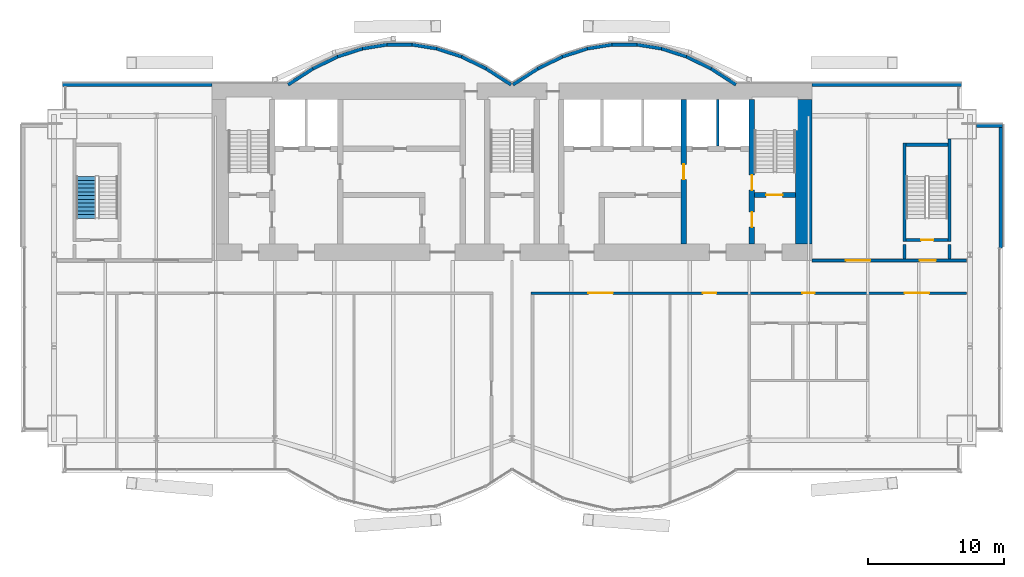
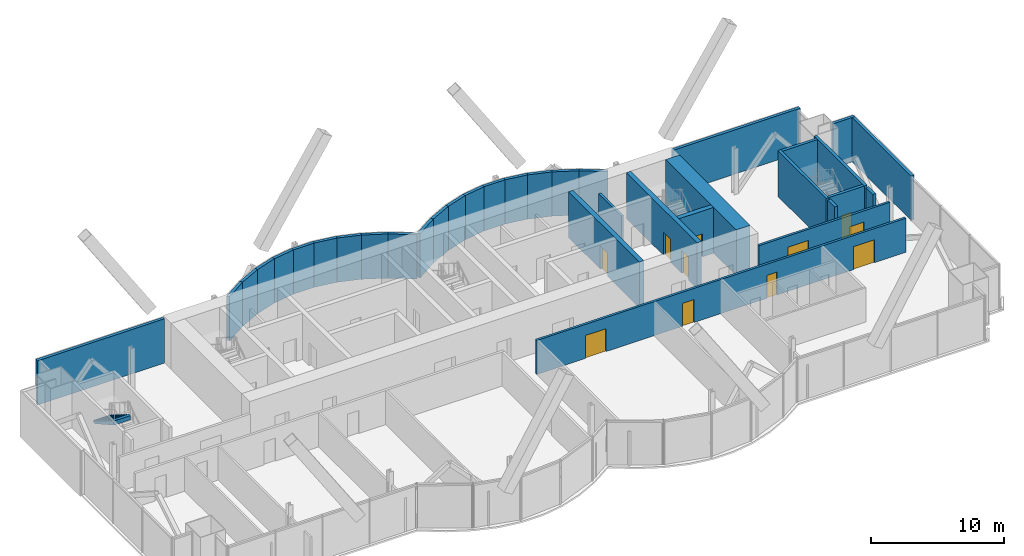
# One storey, part 15 of 19: 35 walls, 11 doors, 1 stair flight, 11 openings, 1 element without a shape of its own.
"""IFC4 building model written with IfcOpenShell, lengths in metres."""

from ifc_helpers import new_model, si_unit, direction, frame, frame_2d, origin, place, context, subcontext, project, spatial, polyline, rectangle, outline, extrude, material, layer, layer_set, layer_usage, type_object, element, fill, aggregate, save


model = new_model("IFC4")

# Units and contexts
model_context = context("Model", 3, precision=1e-05, world=origin(), true_north=direction((0.0, 1.0)))
body_context = subcontext(model_context, "Body", "Model", "MODEL_VIEW")
ifc_project = project(units=[si_unit("LENGTHUNIT", "METRE"), si_unit("AREAUNIT", "SQUARE_METRE"), si_unit("VOLUMEUNIT", "CUBIC_METRE"), si_unit("PLANEANGLEUNIT", "RADIAN"), si_unit("MASSUNIT", "GRAM", prefix="KILO")], contexts=[model_context])

# Site, building, storey
site_placement = place(None, origin())
site = spatial("IfcSite", under=ifc_project, at=site_placement, CompositionType="ELEMENT")
building_placement = place(site_placement, origin())
building = spatial("IfcBuilding", under=site, at=building_placement, Name="Bicima Exchange Tower", CompositionType="ELEMENT")
storey_placement = place(building_placement, frame((0.0, 0.0, 270.800048828125)))
storey = spatial("IfcBuildingStorey", under=building, at=storey_placement, Name="L61", CompositionType="ELEMENT", Elevation=270.800048828125)

# Wall
ifc_material_1 = material(Name="Gypsum board partition")
ifc_layer_1 = layer(ifc_material_1, 0.199951171875)
ifc_layer_set_1 = layer_set([ifc_layer_1], Name="Gypsum board partition")
wall_type_1 = type_object("IfcWallType", Name="Fire-rated gypsum partition 200 EI120", PredefinedType="PARTITIONING", material=ifc_layer_set_1)
wall_1_placement = place(storey_placement, frame((15.10009765625, -4.60009765625, 0.0), z_axis=(0.0, 0.0, 1.0), x_axis=(0.0, 1.0, 0.0)))
element("IfcWall", 1, at=wall_1_placement, inside=storey, type_object=wall_type_1, Name="partition wall 20", PredefinedType="PARTITIONING", context=body_context, shape_type="SweptSolid", body=[
    extrude(rectangle(XDim=3.400146484375, YDim=0.199951171875, at=frame_2d((1.7001953125, 0.0))), origin(), (0.0, 0.0, 1.0), 3.1181640625),
])

# Wall, openings, doors
ifc_layer_2 = layer(ifc_material_1, 0.199951171875)
ifc_layer_set_2 = layer_set([ifc_layer_2], Name="Gypsum board partition")
wall_type_2 = type_object("IfcWallType", Name="Fire-rated gypsum partition 200 EI60", PredefinedType="PARTITIONING", material=ifc_layer_set_2)
wall_2_placement = place(storey_placement, frame((1.39990234375, -15.39990234375, 0.0), z_axis=(0.0, 0.0, 1.0), x_axis=(1.0, 0.0, 0.0)))
wall_2 = element("IfcWall", 2, at=wall_2_placement, inside=storey, type_object=wall_type_2, Name="partition wall 4", PredefinedType="PARTITIONING", context=body_context, shape_type="SweptSolid", body=[
    extrude(rectangle(XDim=31.940185546875, YDim=0.199951171875, at=frame_2d((15.97021484375, 0.0))), origin(), (0.0, 0.0, 1.0), 3.1181640625),
])
opening_1_placement = place(wall_2_placement, frame((4.199951171875, 0.0, 0.0)))
opening_1 = element("IfcOpeningElement", 3, at=opening_1_placement, cuts=wall_2, Name="Opening L61-012", PredefinedType="OPENING", context=body_context, shape_type="SweptSolid", body=[
    extrude(rectangle(XDim=1.800048828125, YDim=2.10009765625, at=frame_2d((0.89990234375, 1.050048828125))), frame((0.0, 0.11181640625, 0.0), z_axis=(0.0, -1.0, 0.0), x_axis=(1.0, 0.0, 0.0)), (0.0, 0.0, 1.0), 0.223876953125),
])
opening_2_placement = place(wall_2_placement, frame((12.60009765625, 0.0, 0.0)))
opening_2 = element("IfcOpeningElement", 4, at=opening_2_placement, cuts=wall_2, Name="Opening L61-013", PredefinedType="OPENING", context=body_context, shape_type="SweptSolid", body=[
    extrude(rectangle(XDim=1.0, YDim=2.10009765625, at=frame_2d((0.5, 1.050048828125))), frame((0.0, 0.11181640625, 0.0), z_axis=(0.0, -1.0, 0.0), x_axis=(1.0, 0.0, 0.0)), (0.0, 0.0, 1.0), 0.223876953125),
])
opening_3_placement = place(wall_2_placement, frame((19.89990234375, 0.0, 0.0)))
opening_3 = element("IfcOpeningElement", 5, at=opening_3_placement, cuts=wall_2, Name="Opening L61-014", PredefinedType="OPENING", context=body_context, shape_type="SweptSolid", body=[
    extrude(rectangle(XDim=0.89990234375, YDim=2.10009765625, at=frame_2d((0.449951171875, 1.050048828125))), frame((0.0, 0.11181640625, 0.0), z_axis=(0.0, -1.0, 0.0), x_axis=(1.0, 0.0, 0.0)), (0.0, 0.0, 1.0), 0.223876953125),
])
opening_4_placement = place(wall_2_placement, frame((27.39990234375, 0.0, 0.0)))
opening_4 = element("IfcOpeningElement", 6, at=opening_4_placement, cuts=wall_2, Name="Opening L61-018", PredefinedType="OPENING", context=body_context, shape_type="SweptSolid", body=[
    extrude(rectangle(XDim=1.800048828125, YDim=2.10009765625, at=frame_2d((0.89990234375, 1.050048828125))), frame((0.0, 0.11181640625, 0.0), z_axis=(0.0, -1.0, 0.0), x_axis=(1.0, 0.0, 0.0)), (0.0, 0.0, 1.0), 0.223876953125),
])
ifc_material_2 = material(Name="Steel fire door leaf", Category="steel")
door_type_1 = type_object("IfcDoorType", Name="Door 1000 swing FD30S", OperationType="SINGLE_SWING_LEFT", PredefinedType="DOOR", material=ifc_material_2)
door_1_placement = place(opening_2_placement, frame((1.0, 0.0, 0.0), z_axis=(0.0, 0.0, 1.0), x_axis=(-1.0, 0.0, 0.0)))
door_1 = element("IfcDoor", 7, at=door_1_placement, inside=storey, type_object=door_type_1, Name="Door", OperationType="SINGLE_SWING_LEFT", OverallHeight=2.10009765625, OverallWidth=1.0, PredefinedType="DOOR", context=body_context, shape_type="SweptSolid", body=[
    extrude(rectangle(XDim=1.0, YDim=2.10009765625, at=frame_2d((0.5, 1.050048828125))), frame((0.0, 0.02490234375, 0.0), z_axis=(0.0, -1.0, 0.0), x_axis=(1.0, 0.0, 0.0)), (0.0, 0.0, 1.0), 0.050048828125),
])
fill(opening_2, door_1)
door_type_2 = type_object("IfcDoorType", Name="Door 1800 double swing FD30S", OperationType="DOUBLE_DOOR_SINGLE_SWING", PredefinedType="DOOR", material=ifc_material_2)
door_2_placement = place(opening_1_placement, origin())
door_2 = element("IfcDoor", 8, at=door_2_placement, inside=storey, type_object=door_type_2, Name="Door", OperationType="SINGLE_SWING_LEFT", OverallHeight=2.10009765625, OverallWidth=1.800048828125, PredefinedType="DOOR", context=body_context, shape_type="SweptSolid", body=[
    extrude(rectangle(XDim=1.800048828125, YDim=2.10009765625, at=frame_2d((0.89990234375, 1.050048828125))), frame((0.0, 0.02490234375, 0.0), z_axis=(0.0, -1.0, 0.0), x_axis=(1.0, 0.0, 0.0)), (0.0, 0.0, 1.0), 0.050048828125),
])
fill(opening_1, door_2)
door_3_placement = place(opening_4_placement, origin())
door_3 = element("IfcDoor", 9, at=door_3_placement, inside=storey, type_object=door_type_2, Name="Door", OperationType="SINGLE_SWING_LEFT", OverallHeight=2.10009765625, OverallWidth=1.800048828125, PredefinedType="DOOR", context=body_context, shape_type="SweptSolid", body=[
    extrude(rectangle(XDim=1.800048828125, YDim=2.10009765625, at=frame_2d((0.89990234375, 1.050048828125))), frame((0.0, 0.02490234375, 0.0), z_axis=(0.0, -1.0, 0.0), x_axis=(1.0, 0.0, 0.0)), (0.0, 0.0, 1.0), 0.050048828125),
])
fill(opening_4, door_3)
door_type_3 = type_object("IfcDoorType", Name="Door 900 swing FD30S", OperationType="SINGLE_SWING_LEFT", PredefinedType="DOOR", material=ifc_material_2)
door_4_placement = place(opening_3_placement, frame((0.89990234375, 0.0, 0.0), z_axis=(0.0, 0.0, 1.0), x_axis=(-1.0, 0.0, 0.0)))
door_4 = element("IfcDoor", 10, at=door_4_placement, inside=storey, type_object=door_type_3, Name="Door", OperationType="SINGLE_SWING_RIGHT", OverallHeight=2.10009765625, OverallWidth=0.89990234375, PredefinedType="DOOR", context=body_context, shape_type="SweptSolid", body=[
    extrude(rectangle(XDim=0.89990234375, YDim=2.10009765625, at=frame_2d((0.449951171875, 1.050048828125))), frame((0.0, 0.02490234375, 0.0), z_axis=(0.0, -1.0, 0.0), x_axis=(1.0, 0.0, 0.0)), (0.0, 0.0, 1.0), 0.050048828125),
])
fill(opening_3, door_4)

wall_3_placement = place(storey_placement, frame((22.0, -13.0, 0.0), z_axis=(0.0, 0.0, 1.0), x_axis=(1.0, 0.0, 0.0)))
wall_3 = element("IfcWall", 11, at=wall_3_placement, inside=storey, type_object=wall_type_2, Name="partition wall 6", PredefinedType="PARTITIONING", context=body_context, shape_type="SweptSolid", body=[
    extrude(rectangle(XDim=11.340087890625, YDim=0.199951171875, at=frame_2d((5.669921875, 0.0))), origin(), (0.0, 0.0, 1.0), 3.1181640625),
])
opening_5_placement = place(wall_3_placement, frame((7.89990234375, 0.0, 0.0)))
opening_5 = element("IfcOpeningElement", 12, at=opening_5_placement, cuts=wall_3, Name="Opening L61-003", PredefinedType="OPENING", context=body_context, shape_type="SweptSolid", body=[
    extrude(rectangle(XDim=1.199951171875, YDim=2.10009765625, at=frame_2d((0.60009765625, 1.050048828125))), frame((0.0, 0.11181640625, 0.0), z_axis=(0.0, -1.0, 0.0), x_axis=(1.0, 0.0, 0.0)), (0.0, 0.0, 1.0), 0.223876953125),
])
opening_6_placement = place(wall_3_placement, frame((2.5, 0.0, 0.0)))
opening_6 = element("IfcOpeningElement", 13, at=opening_6_placement, cuts=wall_3, Name="Opening L61-006", PredefinedType="OPENING", context=body_context, shape_type="SweptSolid", body=[
    extrude(rectangle(XDim=1.800048828125, YDim=2.10009765625, at=frame_2d((0.89990234375, 1.050048828125))), frame((0.0, 0.11181640625, 0.0), z_axis=(0.0, -1.0, 0.0), x_axis=(1.0, 0.0, 0.0)), (0.0, 0.0, 1.0), 0.223876953125),
])
door_type_4 = type_object("IfcDoorType", Name="Door 1200 swing FD30S", OperationType="SINGLE_SWING_LEFT", PredefinedType="DOOR", material=ifc_material_2)
door_5_placement = place(opening_5_placement, origin())
door_5 = element("IfcDoor", 14, at=door_5_placement, inside=storey, type_object=door_type_4, Name="Door", OperationType="SINGLE_SWING_RIGHT", OverallHeight=2.10009765625, OverallWidth=1.199951171875, PredefinedType="DOOR", context=body_context, shape_type="SweptSolid", body=[
    extrude(rectangle(XDim=1.199951171875, YDim=2.10009765625, at=frame_2d((0.60009765625, 1.050048828125))), frame((0.0, 0.02490234375, 0.0), z_axis=(0.0, -1.0, 0.0), x_axis=(1.0, 0.0, 0.0)), (0.0, 0.0, 1.0), 0.050048828125),
])
fill(opening_5, door_5)
door_6_placement = place(opening_6_placement, origin())
door_6 = element("IfcDoor", 15, at=door_6_placement, inside=storey, type_object=door_type_2, Name="Door", OperationType="SINGLE_SWING_LEFT", OverallHeight=2.10009765625, OverallWidth=1.800048828125, PredefinedType="DOOR", context=body_context, shape_type="SweptSolid", body=[
    extrude(rectangle(XDim=1.800048828125, YDim=2.10009765625, at=frame_2d((0.89990234375, 1.050048828125))), frame((0.0, 0.02490234375, 0.0), z_axis=(0.0, -1.0, 0.0), x_axis=(1.0, 0.0, 0.0)), (0.0, 0.0, 1.0), 0.050048828125),
])
fill(opening_6, door_6)

# Walls
ifc_material_3 = material(Name="Concrete C40/50", Category="concrete")
ifc_layer_3 = layer(ifc_material_3, 1.199951171875)
ifc_layer_set_3 = layer_set([ifc_layer_3], Name="Concrete C40/50")
wall_type_3 = type_object("IfcWallType", Name="RC core wall 1200 C40/50", PredefinedType="SHEAR", material=ifc_layer_set_3)
wall_4_placement = place(storey_placement, frame((21.39990234375, -11.800048828125, 0.0), z_axis=(0.0, 0.0, 1.0), x_axis=(0.0, 1.0, 0.0)))
element("IfcWall", 16, at=wall_4_placement, inside=storey, type_object=wall_type_3, Name="Core wall east", PredefinedType="SHEAR", context=body_context, shape_type="SweptSolid", body=[
    extrude(rectangle(XDim=10.60009765625, YDim=1.199951171875, at=frame_2d((5.300048828125, 0.0))), origin(), (0.0, 0.0, 1.0), 4.199951171875),
])
ifc_material_4 = material(Name="Concrete C50/60", Category="concrete")
ifc_layer_4 = layer(ifc_material_4, 0.25)
ifc_layer_set_4 = layer_set([ifc_layer_4], Name="Concrete C50/60")
wall_type_4 = type_object("IfcWallType", Name="RC core wall 250 C50/60", PredefinedType="SHEAR", material=ifc_layer_set_4)
for number, where, z_axis, x_axis, name in (
    (17, (28.800048828125, -12.89990234375, 0.0), (0.0, 0.0, 1.0), (0.0, 1.0, 0.0), "stair wall 28"),
    (18, (32.10009765625, -12.89990234375, 0.0), (0.0, 0.0, 1.0), (0.0, 1.0, 0.0), "stair wall 29"),
):
    element("IfcWall", number, at=place(storey_placement, frame(where, z_axis=z_axis, x_axis=x_axis)), inside=storey, type_object=wall_type_4, Name=name, PredefinedType="SHEAR", context=body_context, shape_type="SweptSolid", body=[
        extrude(rectangle(XDim=1.0498046875, YDim=0.25, at=frame_2d((0.52490234375, 0.0))), origin(), (0.0, 0.0, 1.0), 4.199951171875),
    ])

# Wall, opening, door
ifc_layer_5 = layer(ifc_material_3, 0.39990234375)
ifc_layer_set_5 = layer_set([ifc_layer_5], Name="Concrete C40/50")
wall_type_5 = type_object("IfcWallType", Name="RC core wall 400 C40/50", PredefinedType="SHEAR", material=ifc_layer_set_5)
wall_5_placement = place(storey_placement, frame((12.60009765625, -11.800048828125, 0.0), z_axis=(0.0, 0.0, 1.0), x_axis=(0.0, 1.0, 0.0)))
wall_5 = element("IfcWall", 19, at=wall_5_placement, inside=storey, type_object=wall_type_5, Name="shear wall 19", PredefinedType="SHEAR", context=body_context, shape_type="SweptSolid", body=[
    extrude(rectangle(XDim=10.60009765625, YDim=0.39990234375, at=frame_2d((5.300048828125, 0.0))), origin(), (0.0, 0.0, 1.0), 4.199951171875),
])
opening_7_placement = place(wall_5_placement, frame((4.75, 0.0, 0.0)))
opening_7 = element("IfcOpeningElement", 20, at=opening_7_placement, cuts=wall_5, Name="Opening L61-C09", PredefinedType="OPENING", context=body_context, shape_type="SweptSolid", body=[
    extrude(rectangle(XDim=1.10009765625, YDim=2.10009765625, at=frame_2d((0.550048828125, 1.050048828125))), frame((0.0, 0.2119140625, 0.0), z_axis=(0.0, -1.0, 0.0), x_axis=(1.0, 0.0, 0.0)), (0.0, 0.0, 1.0), 0.423828125),
])
door_type_5 = type_object("IfcDoorType", Name="Door 1100 swing FD60S", OperationType="SINGLE_SWING_LEFT", PredefinedType="DOOR", material=ifc_material_2)
door_7_placement = place(opening_7_placement, frame((1.10009765625, 0.0, 0.0), z_axis=(0.0, 0.0, 1.0), x_axis=(-1.0, 0.0, 0.0)))
door_7 = element("IfcDoor", 21, at=door_7_placement, inside=storey, type_object=door_type_5, Name="Core door", OperationType="SINGLE_SWING_RIGHT", OverallHeight=2.10009765625, OverallWidth=1.10009765625, PredefinedType="DOOR", context=body_context, shape_type="SweptSolid", body=[
    extrude(rectangle(XDim=1.10009765625, YDim=2.10009765625, at=frame_2d((0.550048828125, 1.050048828125))), frame((0.0, 0.02490234375, 0.0), z_axis=(0.0, -1.0, 0.0), x_axis=(1.0, 0.0, 0.0)), (0.0, 0.0, 1.0), 0.050048828125),
])
fill(opening_7, door_7)

ifc_layer_6 = layer(ifc_material_4, 0.39990234375)
ifc_layer_set_6 = layer_set([ifc_layer_6], Name="Concrete C50/60")
wall_type_6 = type_object("IfcWallType", Name="RC core wall 400 C50/60", PredefinedType="SHEAR", material=ifc_layer_set_6)
wall_6_placement = place(storey_placement, frame((17.800048828125, -8.199951171875, 0.0), z_axis=(0.0, 0.0, 1.0), x_axis=(1.0, 0.0, 0.0)))
wall_6 = element("IfcWall", 22, at=wall_6_placement, inside=storey, type_object=wall_type_6, Name="stair wall 5", PredefinedType="SHEAR", context=body_context, shape_type="SweptSolid", body=[
    extrude(rectangle(XDim=3.0, YDim=0.39990234375, at=frame_2d((1.5, 0.0))), origin(), (0.0, 0.0, 1.0), 4.199951171875),
])
opening_8_placement = place(wall_6_placement, frame((0.85009765625, 0.0, 0.0)))
opening_8 = element("IfcOpeningElement", 23, at=opening_8_placement, cuts=wall_6, Name="Opening L61-C04", PredefinedType="OPENING", context=body_context, shape_type="SweptSolid", body=[
    extrude(rectangle(XDim=1.199951171875, YDim=2.10009765625, at=frame_2d((0.60009765625, 1.050048828125))), frame((0.0, 0.2119140625, 0.0), z_axis=(0.0, -1.0, 0.0), x_axis=(1.0, 0.0, 0.0)), (0.0, 0.0, 1.0), 0.423828125),
])
door_type_6 = type_object("IfcDoorType", Name="Door 1200 swing FD60S", OperationType="SINGLE_SWING_LEFT", PredefinedType="DOOR", material=ifc_material_2)
door_8_placement = place(opening_8_placement, origin())
door_8 = element("IfcDoor", 24, at=door_8_placement, inside=storey, type_object=door_type_6, Name="Core door", OperationType="SINGLE_SWING_RIGHT", OverallHeight=2.10009765625, OverallWidth=1.199951171875, PredefinedType="DOOR", context=body_context, shape_type="SweptSolid", body=[
    extrude(rectangle(XDim=1.199951171875, YDim=2.10009765625, at=frame_2d((0.60009765625, 1.050048828125))), frame((0.0, 0.02490234375, 0.0), z_axis=(0.0, -1.0, 0.0), x_axis=(1.0, 0.0, 0.0)), (0.0, 0.0, 1.0), 0.050048828125),
])
fill(opening_8, door_8)

# Wall, openings, doors
wall_7_placement = place(storey_placement, frame((17.60009765625, -11.800048828125, 0.0), z_axis=(0.0, 0.0, 1.0), x_axis=(0.0, 1.0, 0.0)))
wall_7 = element("IfcWall", 25, at=wall_7_placement, inside=storey, type_object=wall_type_6, Name="stair wall 21", PredefinedType="SHEAR", context=body_context, shape_type="SweptSolid", body=[
    extrude(rectangle(XDim=10.60009765625, YDim=0.39990234375, at=frame_2d((5.300048828125, 0.0))), origin(), (0.0, 0.0, 1.0), 4.199951171875),
])
opening_9_placement = place(wall_7_placement, frame((1.25, 0.0, 0.0)))
opening_9 = element("IfcOpeningElement", 26, at=opening_9_placement, cuts=wall_7, Name="Opening L61-C05", PredefinedType="OPENING", context=body_context, shape_type="SweptSolid", body=[
    extrude(rectangle(XDim=1.10009765625, YDim=2.10009765625, at=frame_2d((0.550048828125, 1.050048828125))), frame((0.0, 0.2119140625, 0.0), z_axis=(0.0, -1.0, 0.0), x_axis=(1.0, 0.0, 0.0)), (0.0, 0.0, 1.0), 0.423828125),
])
opening_10_placement = place(wall_7_placement, frame((3.949951171875, 0.0, 0.0)))
opening_10 = element("IfcOpeningElement", 27, at=opening_10_placement, cuts=wall_7, Name="Opening L61-C08", PredefinedType="OPENING", context=body_context, shape_type="SweptSolid", body=[
    extrude(rectangle(XDim=1.10009765625, YDim=2.10009765625, at=frame_2d((0.550048828125, 1.050048828125))), frame((0.0, 0.2119140625, 0.0), z_axis=(0.0, -1.0, 0.0), x_axis=(1.0, 0.0, 0.0)), (0.0, 0.0, 1.0), 0.423828125),
])
door_9_placement = place(opening_9_placement, origin())
door_9 = element("IfcDoor", 28, at=door_9_placement, inside=storey, type_object=door_type_5, Name="Core door", OperationType="SINGLE_SWING_LEFT", OverallHeight=2.10009765625, OverallWidth=1.10009765625, PredefinedType="DOOR", context=body_context, shape_type="SweptSolid", body=[
    extrude(rectangle(XDim=1.10009765625, YDim=2.10009765625, at=frame_2d((0.550048828125, 1.050048828125))), frame((0.0, 0.02490234375, 0.0), z_axis=(0.0, -1.0, 0.0), x_axis=(1.0, 0.0, 0.0)), (0.0, 0.0, 1.0), 0.050048828125),
])
fill(opening_9, door_9)
door_10_placement = place(opening_10_placement, origin())
door_10 = element("IfcDoor", 29, at=door_10_placement, inside=storey, type_object=door_type_5, Name="Core door", OperationType="SINGLE_SWING_RIGHT", OverallHeight=2.10009765625, OverallWidth=1.10009765625, PredefinedType="DOOR", context=body_context, shape_type="SweptSolid", body=[
    extrude(rectangle(XDim=1.10009765625, YDim=2.10009765625, at=frame_2d((0.550048828125, 1.050048828125))), frame((0.0, 0.02490234375, 0.0), z_axis=(0.0, -1.0, 0.0), x_axis=(1.0, 0.0, 0.0)), (0.0, 0.0, 1.0), 0.050048828125),
])
fill(opening_10, door_10)

# Walls
ifc_layer_7 = layer(ifc_material_4, 0.25)
ifc_layer_set_7 = layer_set([ifc_layer_7], Name="Concrete C50/60")
wall_type_7 = type_object("IfcWallType", Name="RC stair enclosure wall 250 C50/60", PredefinedType="SHEAR", material=ifc_layer_set_7)
wall_8_placement = place(storey_placement, frame((28.800048828125, -11.625, 0.0), z_axis=(0.0, 0.0, 1.0), x_axis=(0.0, 1.0, 0.0)))
element("IfcWall", 30, at=wall_8_placement, inside=storey, type_object=wall_type_7, Name="East end exit stair wall W", PredefinedType="SHEAR", context=body_context, shape_type="SweptSolid", body=[
    extrude(rectangle(XDim=7.25, YDim=0.25, at=frame_2d((3.625, 0.0))), origin(), (0.0, 0.0, 1.0), 4.199951171875),
])
wall_9_placement = place(storey_placement, frame((32.10009765625, -11.625, 0.0), z_axis=(0.0, 0.0, 1.0), x_axis=(0.0, 1.0, 0.0)))
element("IfcWall", 31, at=wall_9_placement, inside=storey, type_object=wall_type_7, Name="East end exit stair wall E", PredefinedType="SHEAR", context=body_context, shape_type="SweptSolid", body=[
    extrude(rectangle(XDim=7.52490234375, YDim=0.25, at=frame_2d((3.762451171875, 0.0))), origin(), (0.0, 0.0, 1.0), 4.199951171875),
])

# Wall, opening, door
wall_10_placement = place(storey_placement, frame((28.925048828125, -11.5, 0.0), z_axis=(0.0, 0.0, 1.0), x_axis=(1.0, 0.0, 0.0)))
wall_10 = element("IfcWall", 32, at=wall_10_placement, inside=storey, type_object=wall_type_7, Name="East end exit stair wall S", PredefinedType="SHEAR", context=body_context, shape_type="SweptSolid", body=[
    extrude(rectangle(XDim=3.050048828125, YDim=0.25, at=frame_2d((1.52490234375, 0.0))), origin(), (0.0, 0.0, 1.0), 4.199951171875),
])
opening_11_placement = place(wall_10_placement, frame((1.10009765625, 0.0, 0.0)))
opening_11 = element("IfcOpeningElement", 33, at=opening_11_placement, cuts=wall_10, Name="Opening L61-004", PredefinedType="OPENING", context=body_context, shape_type="SweptSolid", body=[
    extrude(rectangle(XDim=0.89990234375, YDim=2.10009765625, at=frame_2d((0.449951171875, 1.050048828125))), frame((0.0, 0.136962890625, 0.0), z_axis=(0.0, -1.0, 0.0), x_axis=(1.0, 0.0, 0.0)), (0.0, 0.0, 1.0), 0.27392578125),
])
door_type_7 = type_object("IfcDoorType", Name="Door 900 swing FD60S", OperationType="SINGLE_SWING_LEFT", PredefinedType="DOOR", material=ifc_material_2)
door_11_placement = place(opening_11_placement, origin())
door_11 = element("IfcDoor", 34, at=door_11_placement, inside=storey, type_object=door_type_7, Name="Door", OperationType="SINGLE_SWING_LEFT", OverallHeight=2.10009765625, OverallWidth=0.89990234375, PredefinedType="DOOR", context=body_context, shape_type="SweptSolid", body=[
    extrude(rectangle(XDim=0.89990234375, YDim=2.10009765625, at=frame_2d((0.449951171875, 1.050048828125))), frame((0.0, 0.02490234375, 0.0), z_axis=(0.0, -1.0, 0.0), x_axis=(1.0, 0.0, 0.0)), (0.0, 0.0, 1.0), 0.050048828125),
])
fill(opening_11, door_11)

# Walls
wall_11_placement = place(storey_placement, frame((28.925048828125, -4.5, 0.0), z_axis=(0.0, 0.0, 1.0), x_axis=(1.0, 0.0, 0.0)))
element("IfcWall", 35, at=wall_11_placement, inside=storey, type_object=wall_type_7, Name="East end exit stair wall N", PredefinedType="SHEAR", context=body_context, shape_type="SweptSolid", body=[
    extrude(rectangle(XDim=3.050048828125, YDim=0.25, at=frame_2d((1.52490234375, 0.0))), origin(), (0.0, 0.0, 1.0), 4.199951171875),
])
ifc_layer_8 = layer(ifc_material_3, 0.25)
ifc_layer_set_8 = layer_set([ifc_layer_8], Name="Concrete C40/50")
ifc_layer_usage = layer_usage(ifc_layer_set_8, "AXIS2", "POSITIVE", -0.125)
wall_type_8 = type_object("IfcWallType", Name="Rear backup wall 250", PredefinedType="STANDARD", material=ifc_layer_set_8)
wall_12_placement = place(storey_placement, frame((33.0, -0.125, 0.0), z_axis=(0.0, 0.0, 1.0), x_axis=(-1.0, 0.0, 0.0)))
element("IfcWall", 36, at=wall_12_placement, inside=storey, type_object=wall_type_8, material=ifc_layer_usage, Name="Rear backup wall L61 1", PredefinedType="STANDARD", context=body_context, shape_type="SweptSolid", body=[
    extrude(rectangle(XDim=11.0, YDim=0.25, at=frame_2d((5.5, 0.0))), origin(), (0.0, 0.0, 1.0), 4.050048828125),
])
wall_13_placement = place(storey_placement, frame((16.43212890625, -0.10498046875, 0.0), z_axis=(0.0, 0.0, 1.0), x_axis=(-0.83981312244, 0.542875602121, 0.0)))
element("IfcWall", 37, at=wall_13_placement, inside=storey, type_object=wall_type_8, material=ifc_layer_usage, Name="Rear backup wall L61 2", PredefinedType="STANDARD", context=body_context, shape_type="SweptSolid", body=[
    extrude(rectangle(XDim=2.182861328125, YDim=0.25, at=frame_2d((1.09130859375, 0.0))), origin(), (0.0, 0.0, 1.0), 4.050048828125),
])
wall_14_placement = place(storey_placement, frame((14.6123046875, 1.07275390625, 0.0), z_axis=(0.0, 0.0, 1.0), x_axis=(-0.89982408427, 0.436252928206, 0.0)))
element("IfcWall", 38, at=wall_14_placement, inside=storey, type_object=wall_type_8, material=ifc_layer_usage, Name="Rear backup wall L61 3", PredefinedType="STANDARD", context=body_context, shape_type="SweptSolid", body=[
    extrude(rectangle(XDim=2.03759765625, YDim=0.25, at=frame_2d((1.018798828125, 0.0))), origin(), (0.0, 0.0, 1.0), 4.050048828125),
])
wall_15_placement = place(storey_placement, frame((12.794921875, 1.955078125, 0.0), z_axis=(0.0, 0.0, 1.0), x_axis=(-0.951495806175, 0.307661714928, 0.0)))
element("IfcWall", 39, at=wall_15_placement, inside=storey, type_object=wall_type_8, material=ifc_layer_usage, Name="Rear backup wall L61 4", PredefinedType="STANDARD", context=body_context, shape_type="SweptSolid", body=[
    extrude(rectangle(XDim=1.9267578125, YDim=0.25, at=frame_2d((0.96337890625, 0.0))), origin(), (0.0, 0.0, 1.0), 4.050048828125),
])
wall_16_placement = place(storey_placement, frame((10.97998046875, 2.543212890625, 0.0), z_axis=(0.0, 0.0, 1.0), x_axis=(-0.987181718931, 0.159600293885, 0.0)))
element("IfcWall", 40, at=wall_16_placement, inside=storey, type_object=wall_type_8, material=ifc_layer_usage, Name="Rear backup wall L61 5", PredefinedType="STANDARD", context=body_context, shape_type="SweptSolid", body=[
    extrude(rectangle(XDim=1.857177734375, YDim=0.25, at=frame_2d((0.9287109375, 0.0))), origin(), (0.0, 0.0, 1.0), 4.050048828125),
])
wall_17_placement = place(storey_placement, frame((9.166748046875, 2.837890625, 0.0), z_axis=(0.0, 0.0, 1.0), x_axis=(-1.0, 0.0, 0.0)))
element("IfcWall", 41, at=wall_17_placement, inside=storey, type_object=wall_type_8, material=ifc_layer_usage, Name="Rear backup wall L61 6", PredefinedType="STANDARD", context=body_context, shape_type="SweptSolid", body=[
    extrude(rectangle(XDim=1.83349609375, YDim=0.25, at=frame_2d((0.916748046875, 0.0))), origin(), (0.0, 0.0, 1.0), 4.050048828125),
])
wall_18_placement = place(storey_placement, frame((7.353271484375, 2.839599609375, 0.0), z_axis=(0.0, 0.0, 1.0), x_axis=(-0.987181718931, -0.159600293885, 0.0)))
element("IfcWall", 42, at=wall_18_placement, inside=storey, type_object=wall_type_8, material=ifc_layer_usage, Name="Rear backup wall L61 7", PredefinedType="STANDARD", context=body_context, shape_type="SweptSolid", body=[
    extrude(rectangle(XDim=1.857177734375, YDim=0.25, at=frame_2d((0.9287109375, 0.0))), origin(), (0.0, 0.0, 1.0), 4.050048828125),
])
wall_19_placement = place(storey_placement, frame((5.538330078125, 2.5478515625, 0.0), z_axis=(0.0, 0.0, 1.0), x_axis=(-0.951495806175, -0.307661714928, 0.0)))
element("IfcWall", 43, at=wall_19_placement, inside=storey, type_object=wall_type_8, material=ifc_layer_usage, Name="Rear backup wall L61 8", PredefinedType="STANDARD", context=body_context, shape_type="SweptSolid", body=[
    extrude(rectangle(XDim=1.9267578125, YDim=0.25, at=frame_2d((0.96337890625, 0.0))), origin(), (0.0, 0.0, 1.0), 4.050048828125),
])
wall_20_placement = place(storey_placement, frame((3.72119140625, 1.961669921875, 0.0), z_axis=(0.0, 0.0, 1.0), x_axis=(-0.89982408427, -0.436252928206, 0.0)))
element("IfcWall", 44, at=wall_20_placement, inside=storey, type_object=wall_type_8, material=ifc_layer_usage, Name="Rear backup wall L61 9", PredefinedType="STANDARD", context=body_context, shape_type="SweptSolid", body=[
    extrude(rectangle(XDim=2.03759765625, YDim=0.25, at=frame_2d((1.018798828125, 0.0))), origin(), (0.0, 0.0, 1.0), 4.050048828125),
])
for number, where, z_axis, x_axis, name in (
    (45, (1.901123046875, 1.080078125, 0.0), (0.0, 0.0, 1.0), (-0.83981312244, -0.542875602121, 0.0), "Rear backup wall L61 10"),
    (46, (-0.06787109375, -0.10498046875, 0.0), (0.0, 0.0, 1.0), (-0.83981312244, 0.542875602121, 0.0), "Rear backup wall L61 11"),
):
    element("IfcWall", number, at=place(storey_placement, frame(where, z_axis=z_axis, x_axis=x_axis)), inside=storey, type_object=wall_type_8, material=ifc_layer_usage, Name=name, PredefinedType="STANDARD", context=body_context, shape_type="SweptSolid", body=[
        extrude(rectangle(XDim=2.182861328125, YDim=0.25, at=frame_2d((1.09130859375, 0.0))), origin(), (0.0, 0.0, 1.0), 4.050048828125),
    ])
wall_21_placement = place(storey_placement, frame((-1.8876953125, 1.07275390625, 0.0), z_axis=(0.0, 0.0, 1.0), x_axis=(-0.89982408427, 0.436252928206, 0.0)))
element("IfcWall", 47, at=wall_21_placement, inside=storey, type_object=wall_type_8, material=ifc_layer_usage, Name="Rear backup wall L61 12", PredefinedType="STANDARD", context=body_context, shape_type="SweptSolid", body=[
    extrude(rectangle(XDim=2.03759765625, YDim=0.25, at=frame_2d((1.018798828125, 0.0))), origin(), (0.0, 0.0, 1.0), 4.050048828125),
])
wall_22_placement = place(storey_placement, frame((-3.705078125, 1.955078125, 0.0), z_axis=(0.0, 0.0, 1.0), x_axis=(-0.951495806175, 0.307661714928, 0.0)))
element("IfcWall", 48, at=wall_22_placement, inside=storey, type_object=wall_type_8, material=ifc_layer_usage, Name="Rear backup wall L61 13", PredefinedType="STANDARD", context=body_context, shape_type="SweptSolid", body=[
    extrude(rectangle(XDim=1.9267578125, YDim=0.25, at=frame_2d((0.96337890625, 0.0))), origin(), (0.0, 0.0, 1.0), 4.050048828125),
])
wall_23_placement = place(storey_placement, frame((-5.52001953125, 2.543212890625, 0.0), z_axis=(0.0, 0.0, 1.0), x_axis=(-0.987181718931, 0.159600293885, 0.0)))
element("IfcWall", 49, at=wall_23_placement, inside=storey, type_object=wall_type_8, material=ifc_layer_usage, Name="Rear backup wall L61 14", PredefinedType="STANDARD", context=body_context, shape_type="SweptSolid", body=[
    extrude(rectangle(XDim=1.857177734375, YDim=0.25, at=frame_2d((0.9287109375, 0.0))), origin(), (0.0, 0.0, 1.0), 4.050048828125),
])
wall_24_placement = place(storey_placement, frame((-7.333251953125, 2.837890625, 0.0), z_axis=(0.0, 0.0, 1.0), x_axis=(-1.0, 0.0, 0.0)))
element("IfcWall", 50, at=wall_24_placement, inside=storey, type_object=wall_type_8, material=ifc_layer_usage, Name="Rear backup wall L61 15", PredefinedType="STANDARD", context=body_context, shape_type="SweptSolid", body=[
    extrude(rectangle(XDim=1.83349609375, YDim=0.25, at=frame_2d((0.916748046875, 0.0))), origin(), (0.0, 0.0, 1.0), 4.050048828125),
])
wall_25_placement = place(storey_placement, frame((-9.146728515625, 2.839599609375, 0.0), z_axis=(0.0, 0.0, 1.0), x_axis=(-0.987181718931, -0.159600293885, 0.0)))
element("IfcWall", 51, at=wall_25_placement, inside=storey, type_object=wall_type_8, material=ifc_layer_usage, Name="Rear backup wall L61 16", PredefinedType="STANDARD", context=body_context, shape_type="SweptSolid", body=[
    extrude(rectangle(XDim=1.857177734375, YDim=0.25, at=frame_2d((0.9287109375, 0.0))), origin(), (0.0, 0.0, 1.0), 4.050048828125),
])
wall_26_placement = place(storey_placement, frame((-10.961669921875, 2.5478515625, 0.0), z_axis=(0.0, 0.0, 1.0), x_axis=(-0.951495806175, -0.307661714928, 0.0)))
element("IfcWall", 52, at=wall_26_placement, inside=storey, type_object=wall_type_8, material=ifc_layer_usage, Name="Rear backup wall L61 17", PredefinedType="STANDARD", context=body_context, shape_type="SweptSolid", body=[
    extrude(rectangle(XDim=1.9267578125, YDim=0.25, at=frame_2d((0.96337890625, 0.0))), origin(), (0.0, 0.0, 1.0), 4.050048828125),
])
wall_27_placement = place(storey_placement, frame((-12.77880859375, 1.961669921875, 0.0), z_axis=(0.0, 0.0, 1.0), x_axis=(-0.89982408427, -0.436252928206, 0.0)))
element("IfcWall", 53, at=wall_27_placement, inside=storey, type_object=wall_type_8, material=ifc_layer_usage, Name="Rear backup wall L61 18", PredefinedType="STANDARD", context=body_context, shape_type="SweptSolid", body=[
    extrude(rectangle(XDim=2.03759765625, YDim=0.25, at=frame_2d((1.018798828125, 0.0))), origin(), (0.0, 0.0, 1.0), 4.050048828125),
])
wall_28_placement = place(storey_placement, frame((-14.598876953125, 1.080078125, 0.0), z_axis=(0.0, 0.0, 1.0), x_axis=(-0.83981312244, -0.542875602121, 0.0)))
element("IfcWall", 54, at=wall_28_placement, inside=storey, type_object=wall_type_8, material=ifc_layer_usage, Name="Rear backup wall L61 19", PredefinedType="STANDARD", context=body_context, shape_type="SweptSolid", body=[
    extrude(rectangle(XDim=2.182861328125, YDim=0.25, at=frame_2d((1.09130859375, 0.0))), origin(), (0.0, 0.0, 1.0), 4.050048828125),
])
wall_29_placement = place(storey_placement, frame((-22.0, -0.125, 0.0), z_axis=(0.0, 0.0, 1.0), x_axis=(-1.0, 0.0, 0.0)))
element("IfcWall", 55, at=wall_29_placement, inside=storey, type_object=wall_type_8, material=ifc_layer_usage, Name="Rear backup wall L61 20", PredefinedType="STANDARD", context=body_context, shape_type="SweptSolid", body=[
    extrude(rectangle(XDim=11.0, YDim=0.25, at=frame_2d((5.5, 0.0))), origin(), (0.0, 0.0, 1.0), 4.050048828125),
])
wall_30_placement = place(storey_placement, frame((35.875, -12.090087890625, 0.0), z_axis=(0.0, 0.0, 1.0), x_axis=(0.0, 1.0, 0.0)))
element("IfcWall", 56, at=wall_30_placement, inside=storey, type_object=wall_type_8, material=ifc_layer_usage, Name="Rear backup wall L61 50", PredefinedType="STANDARD", context=body_context, shape_type="SweptSolid", body=[
    extrude(rectangle(XDim=9.090087890625, YDim=0.25, at=frame_2d((4.544921875, 0.0))), origin(), (0.0, 0.0, 1.0), 4.050048828125),
])
wall_31_placement = place(storey_placement, frame((36.0, -3.125, 0.0), z_axis=(0.0, 0.0, 1.0), x_axis=(-1.0, 0.0, 0.0)))
element("IfcWall", 57, at=wall_31_placement, inside=storey, type_object=wall_type_8, material=ifc_layer_usage, Name="Rear backup wall L61 51", PredefinedType="STANDARD", context=body_context, shape_type="SweptSolid", body=[
    extrude(rectangle(XDim=1.89990234375, YDim=0.25, at=frame_2d((0.949951171875, 0.0))), origin(), (0.0, 0.0, 1.0), 4.050048828125),
])

# Stair, stair flight
stair_type = type_object("IfcStairType", Name="Exit stair", PredefinedType="HALF_TURN_STAIR", material=ifc_material_4)
stair_placement = place(storey_placement, origin())
stair = element("IfcStair", 58, at=stair_placement, inside=storey, type_object=stair_type, Name="L61 West end exit stair", PredefinedType="HALF_TURN_STAIR")
stair_flight_type = type_object("IfcStairFlightType", Name="Stair flight RC", PredefinedType="STRAIGHT", material=ifc_material_4)
stair_flight_placement = place(storey_placement, frame((-31.25, -6.844970703125, 2.099853515625), z_axis=(0.0, 0.0, 1.0), x_axis=(0.0, -1.0, 0.0)))
stair_flight = element("IfcStairFlight", 59, at=stair_flight_placement, type_object=stair_flight_type, Name="ST-WW flight 2", NumberOfRisers=12, NumberOfTreads=11, PredefinedType="STRAIGHT", RiserHeight=0.175, TreadLength=0.28, context=body_context, shape_type="SweptSolid", body=[
    extrude(outline(polyline([(0.0, 0.0), (0.0, 0.175048828125), (0.280029296875, 0.175048828125), (0.280029296875, 0.35009765625), (0.56005859375, 0.35009765625), (0.56005859375, 0.52490234375), (0.840087890625, 0.52490234375), (0.840087890625, 0.699951171875), (1.1201171875, 0.699951171875), (1.1201171875, 0.875), (1.39990234375, 0.875), (1.39990234375, 1.050048828125), (1.679931640625, 1.050048828125), (1.679931640625, 1.22509765625), (1.9599609375, 1.22509765625), (1.9599609375, 1.39990234375), (2.239990234375, 1.39990234375), (2.239990234375, 1.574951171875), (2.52001953125, 1.574951171875), (2.52001953125, 1.75), (2.800048828125, 1.75), (2.800048828125, 1.925048828125), (3.080078125, 1.925048828125), (3.080078125, 1.9541015625), (3.094970703125, 1.9541015625), (3.094970703125, 1.58251953125), (0.28271484375, 0.0), (0.0, 0.0)])), frame((0.0, 0.72509765625, 0.0), z_axis=(0.0, -1.0, 0.0), x_axis=(1.0, 0.0, 0.0)), (0.0, 0.0, 1.0), 1.449951171875),
])
aggregate(stair, [stair_flight])

save(model, "model.ifc")
